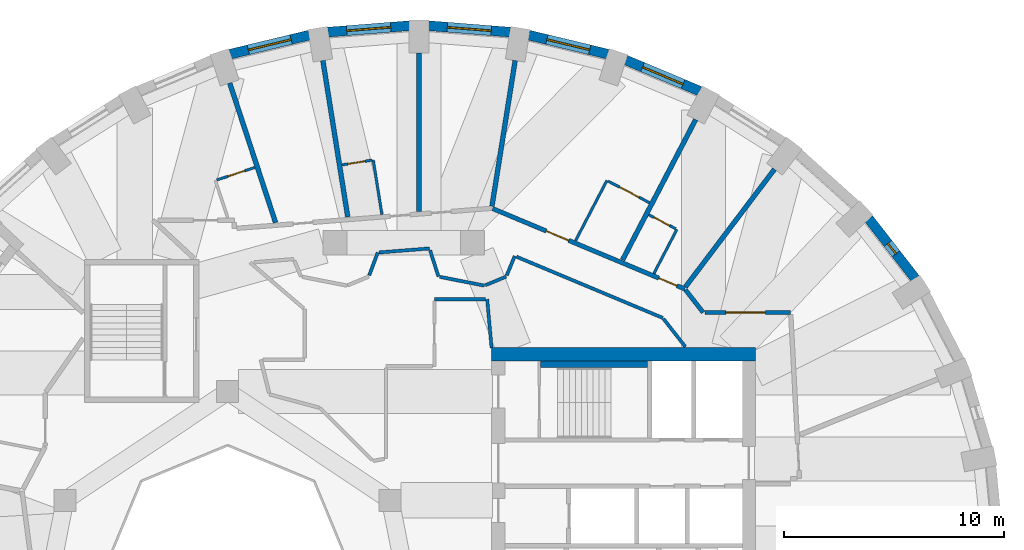
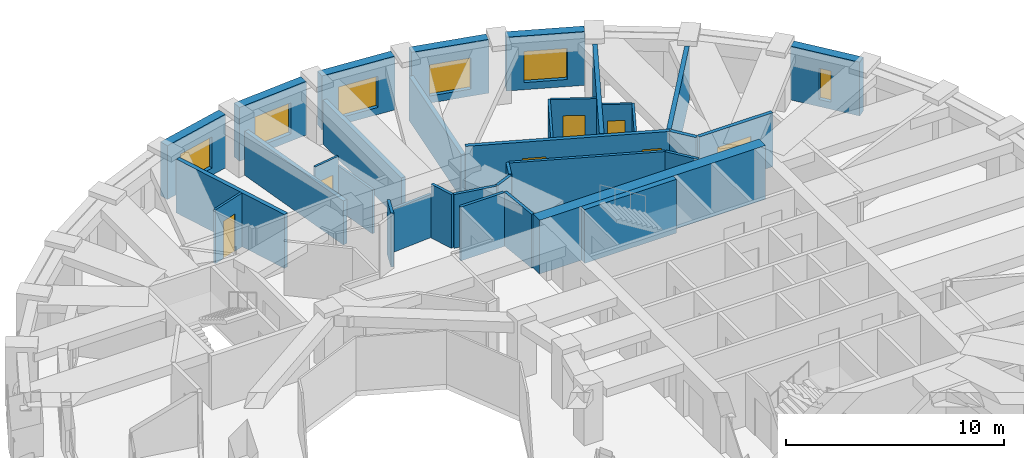
# One storey, part 8 of 12: 34 walls, 7 doors, 6 windows, 13 openings.
"""IFC4 building model written with IfcOpenShell, lengths in metres."""

from ifc_helpers import new_model, si_unit, direction, frame, frame_2d, origin, place, context, subcontext, project, spatial, rectangle, extrude, material, layer, layer_set, type_object, element, fill, save


model = new_model("IFC4")

# Units and contexts
model_context = context("Model", 3, precision=1e-05, world=origin(), true_north=direction((0.0, 1.0)))
body_context = subcontext(model_context, "Body", "Model", "MODEL_VIEW")
ifc_project = project(units=[si_unit("LENGTHUNIT", "METRE"), si_unit("AREAUNIT", "SQUARE_METRE"), si_unit("VOLUMEUNIT", "CUBIC_METRE"), si_unit("PLANEANGLEUNIT", "RADIAN"), si_unit("MASSUNIT", "GRAM", prefix="KILO")], contexts=[model_context])

# Site, building, storey
site_placement = place(None, origin())
site = spatial("IfcSite", under=ifc_project, at=site_placement, CompositionType="ELEMENT")
building_placement = place(site_placement, origin())
building = spatial("IfcBuilding", under=site, at=building_placement, Name="Taillehof Tower", CompositionType="ELEMENT")
storey_placement = place(building_placement, frame((0.0, 0.0, 202.39990234375)))
storey = spatial("IfcBuildingStorey", under=building, at=storey_placement, Name="L57", CompositionType="ELEMENT", Elevation=202.39990234375)

# Wall, opening, window
ifc_material_1 = material(Name="Brick masonry", Category="masonry")
ifc_layer_1 = layer(ifc_material_1, 0.449951171875)
ifc_layer_set_1 = layer_set([ifc_layer_1], Name="Brick infill wall 450")
wall_type_1 = type_object("IfcWallType", Name="Brick infill wall 450", PredefinedType="SOLIDWALL", material=ifc_layer_set_1)
wall_1_placement = place(storey_placement, frame((23.262939453125, 13.148193359375, 0.0), z_axis=(0.0, 0.0, 1.0), x_axis=(-0.614220816451, 0.789134201919, 0.0)))
wall_1 = element("IfcWall", 1, at=wall_1_placement, inside=storey, type_object=wall_type_1, Name="Brick wall L57 bay 4", PredefinedType="SOLIDWALL", context=body_context, shape_type="SweptSolid", body=[
    extrude(rectangle(XDim=3.437744140625, YDim=0.449951171875, at=frame_2d((1.71875, 0.0))), origin(), (0.0, 0.0, 1.0), 3.02001953125),
])
opening_1_placement = place(wall_1_placement, frame((1.4189453125, 0.0, 0.39990234375)))
opening_1 = element("IfcOpeningElement", 2, at=opening_1_placement, cuts=wall_1, Name="Opening W6", PredefinedType="OPENING", context=body_context, shape_type="SweptSolid", body=[
    extrude(rectangle(XDim=0.60009765625, YDim=1.75, at=frame_2d((0.300048828125, 0.875))), frame((0.0, 0.23486328125, 0.0), z_axis=(0.0, -1.0, 0.0), x_axis=(1.0, 0.0, 0.0)), (0.0, 0.0, 1.0), 0.469970703125),
])
ifc_material_2 = material(Name="Aluminium window frame with clear double glazing", Category="aluminium")
window_type_1 = type_object("IfcWindowType", Name="Slot window 600x1750", PartitioningType="SINGLE_PANEL", PredefinedType="WINDOW", material=ifc_material_2)
window_1_placement = place(opening_1_placement, origin())
window_1 = element("IfcWindow", 3, at=window_1_placement, inside=storey, type_object=window_type_1, Name="W6", OverallHeight=1.75, OverallWidth=0.60009765625, PartitioningType="SINGLE_PANEL", PredefinedType="WINDOW", context=body_context, shape_type="SweptSolid", body=[
    extrude(rectangle(XDim=0.60009765625, YDim=1.75, at=frame_2d((0.300048828125, 0.875))), frame((0.0, 0.034912109375, 0.0), z_axis=(0.0, -1.0, 0.0), x_axis=(1.0, 0.0, 0.0)), (0.0, 0.0, 1.0), 0.06005859375),
])
fill(opening_1, window_1)

wall_2_placement = place(storey_placement, frame((13.46923828125, 21.6669921875, 0.0), z_axis=(0.0, 0.0, 1.0), x_axis=(-0.922168222612, 0.386789050006, 0.0)))
wall_2 = element("IfcWall", 4, at=wall_2_placement, inside=storey, type_object=wall_type_1, Name="Brick wall L57 bay 7", PredefinedType="SOLIDWALL", context=body_context, shape_type="SweptSolid", body=[
    extrude(rectangle(XDim=3.65087890625, YDim=0.449951171875, at=frame_2d((1.825439453125, 0.0))), origin(), (0.0, 0.0, 1.0), 3.02001953125),
])
opening_2_placement = place(wall_2_placement, frame((0.825439453125, 0.0, 0.39990234375)))
opening_2 = element("IfcOpeningElement", 5, at=opening_2_placement, cuts=wall_2, Name="Opening W2", PredefinedType="OPENING", context=body_context, shape_type="SweptSolid", body=[
    extrude(rectangle(XDim=2.0, YDim=1.75, at=frame_2d((1.0, 0.875))), frame((0.0, 0.23486328125, 0.0), z_axis=(0.0, -1.0, 0.0), x_axis=(1.0, 0.0, 0.0)), (0.0, 0.0, 1.0), 0.469970703125),
])
ifc_material_3 = material(Name="Aluminium window frame with clear double glazing", Category="aluminium")
window_type_2 = type_object("IfcWindowType", Name="Deep-set window 2000x1750", PartitioningType="SINGLE_PANEL", PredefinedType="WINDOW", material=ifc_material_3)
window_2_placement = place(opening_2_placement, origin())
window_2 = element("IfcWindow", 6, at=window_2_placement, inside=storey, type_object=window_type_2, Name="W2", OverallHeight=1.75, OverallWidth=2.0, PartitioningType="SINGLE_PANEL", PredefinedType="WINDOW", context=body_context, shape_type="SweptSolid", body=[
    extrude(rectangle(XDim=2.0, YDim=1.75, at=frame_2d((1.0, 0.875))), frame((0.0, 0.034912109375, 0.0), z_axis=(0.0, -1.0, 0.0), x_axis=(1.0, 0.0, 0.0)), (0.0, 0.0, 1.0), 0.06005859375),
])
fill(opening_2, window_2)

wall_3_placement = place(storey_placement, frame((9.285400390625, 23.34716796875, 0.0), z_axis=(0.0, 0.0, 1.0), x_axis=(-0.972173533246, 0.234261864708, 0.0)))
wall_3 = element("IfcWall", 7, at=wall_3_placement, inside=storey, type_object=wall_type_1, Name="Brick wall L57 bay 8", PredefinedType="SOLIDWALL", context=body_context, shape_type="SweptSolid", body=[
    extrude(rectangle(XDim=3.697509765625, YDim=0.449951171875, at=frame_2d((1.8486328125, 0.0))), origin(), (0.0, 0.0, 1.0), 3.02001953125),
])
opening_3_placement = place(wall_3_placement, frame((0.848876953125, 0.0, 0.39990234375)))
opening_3 = element("IfcOpeningElement", 8, at=opening_3_placement, cuts=wall_3, Name="Opening W2", PredefinedType="OPENING", context=body_context, shape_type="SweptSolid", body=[
    extrude(rectangle(XDim=2.0, YDim=1.75, at=frame_2d((1.0, 0.875))), frame((0.0, 0.23486328125, 0.0), z_axis=(0.0, -1.0, 0.0), x_axis=(1.0, 0.0, 0.0)), (0.0, 0.0, 1.0), 0.469970703125),
])
window_3_placement = place(opening_3_placement, origin())
window_3 = element("IfcWindow", 9, at=window_3_placement, inside=storey, type_object=window_type_2, Name="W2", OverallHeight=1.75, OverallWidth=2.0, PartitioningType="SINGLE_PANEL", PredefinedType="WINDOW", context=body_context, shape_type="SweptSolid", body=[
    extrude(rectangle(XDim=2.0, YDim=1.75, at=frame_2d((1.0, 0.875))), frame((0.0, 0.034912109375, 0.0), z_axis=(0.0, -1.0, 0.0), x_axis=(1.0, 0.0, 0.0)), (0.0, 0.0, 1.0), 0.06005859375),
])
fill(opening_3, window_3)

wall_4_placement = place(storey_placement, frame((4.841064453125, 24.348388671875, 0.0), z_axis=(0.0, 0.0, 1.0), x_axis=(-0.996918697878, 0.078441760701, 0.0)))
wall_4 = element("IfcWall", 10, at=wall_4_placement, inside=storey, type_object=wall_type_1, Name="Brick wall L57 bay 9", PredefinedType="SOLIDWALL", context=body_context, shape_type="SweptSolid", body=[
    extrude(rectangle(XDim=3.722412109375, YDim=0.449951171875, at=frame_2d((1.861328125, 0.0))), origin(), (0.0, 0.0, 1.0), 3.02001953125),
])
opening_4_placement = place(wall_4_placement, frame((0.861328125, 0.0, 0.39990234375)))
opening_4 = element("IfcOpeningElement", 11, at=opening_4_placement, cuts=wall_4, Name="Opening W2", PredefinedType="OPENING", context=body_context, shape_type="SweptSolid", body=[
    extrude(rectangle(XDim=2.0, YDim=1.75, at=frame_2d((1.0, 0.875))), frame((0.0, 0.23486328125, 0.0), z_axis=(0.0, -1.0, 0.0), x_axis=(1.0, 0.0, 0.0)), (0.0, 0.0, 1.0), 0.469970703125),
])
window_4_placement = place(opening_4_placement, origin())
window_4 = element("IfcWindow", 12, at=window_4_placement, inside=storey, type_object=window_type_2, Name="W2", OverallHeight=1.75, OverallWidth=2.0, PartitioningType="SINGLE_PANEL", PredefinedType="WINDOW", context=body_context, shape_type="SweptSolid", body=[
    extrude(rectangle(XDim=2.0, YDim=1.75, at=frame_2d((1.0, 0.875))), frame((0.0, 0.034912109375, 0.0), z_axis=(0.0, -1.0, 0.0), x_axis=(1.0, 0.0, 0.0)), (0.0, 0.0, 1.0), 0.06005859375),
])
fill(opening_4, window_4)

wall_5_placement = place(storey_placement, frame((0.27001953125, 24.640380859375, 0.0), z_axis=(0.0, 0.0, 1.0), x_axis=(-0.996919101401, -0.078436632148, 0.0)))
wall_5 = element("IfcWall", 13, at=wall_5_placement, inside=storey, type_object=wall_type_1, Name="Brick wall L57 bay 10", PredefinedType="SOLIDWALL", context=body_context, shape_type="SweptSolid", body=[
    extrude(rectangle(XDim=3.72265625, YDim=0.449951171875, at=frame_2d((1.861328125, 0.0))), origin(), (0.0, 0.0, 1.0), 3.02001953125),
])
opening_5_placement = place(wall_5_placement, frame((0.861328125, 0.0, 0.39990234375)))
opening_5 = element("IfcOpeningElement", 14, at=opening_5_placement, cuts=wall_5, Name="Opening W2", PredefinedType="OPENING", context=body_context, shape_type="SweptSolid", body=[
    extrude(rectangle(XDim=2.0, YDim=1.75, at=frame_2d((1.0, 0.875))), frame((0.0, 0.23486328125, 0.0), z_axis=(0.0, -1.0, 0.0), x_axis=(1.0, 0.0, 0.0)), (0.0, 0.0, 1.0), 0.469970703125),
])
window_5_placement = place(opening_5_placement, origin())
window_5 = element("IfcWindow", 15, at=window_5_placement, inside=storey, type_object=window_type_2, Name="W2", OverallHeight=1.75, OverallWidth=2.0, PartitioningType="SINGLE_PANEL", PredefinedType="WINDOW", context=body_context, shape_type="SweptSolid", body=[
    extrude(rectangle(XDim=2.0, YDim=1.75, at=frame_2d((1.0, 0.875))), frame((0.0, 0.034912109375, 0.0), z_axis=(0.0, -1.0, 0.0), x_axis=(1.0, 0.0, 0.0)), (0.0, 0.0, 1.0), 0.06005859375),
])
fill(opening_5, window_5)

wall_6_placement = place(storey_placement, frame((-4.29052734375, 24.21337890625, 0.0), z_axis=(0.0, 0.0, 1.0), x_axis=(-0.972173533246, -0.234261864708, 0.0)))
wall_6 = element("IfcWall", 16, at=wall_6_placement, inside=storey, type_object=wall_type_1, Name="Brick wall L57 bay 11", PredefinedType="SOLIDWALL", context=body_context, shape_type="SweptSolid", body=[
    extrude(rectangle(XDim=3.697509765625, YDim=0.449951171875, at=frame_2d((1.8486328125, 0.0))), origin(), (0.0, 0.0, 1.0), 3.02001953125),
])
opening_6_placement = place(wall_6_placement, frame((0.848876953125, 0.0, 0.39990234375)))
opening_6 = element("IfcOpeningElement", 17, at=opening_6_placement, cuts=wall_6, Name="Opening W2", PredefinedType="OPENING", context=body_context, shape_type="SweptSolid", body=[
    extrude(rectangle(XDim=2.0, YDim=1.75, at=frame_2d((1.0, 0.875))), frame((0.0, 0.23486328125, 0.0), z_axis=(0.0, -1.0, 0.0), x_axis=(1.0, 0.0, 0.0)), (0.0, 0.0, 1.0), 0.469970703125),
])
window_6_placement = place(opening_6_placement, origin())
window_6 = element("IfcWindow", 18, at=window_6_placement, inside=storey, type_object=window_type_2, Name="W2", OverallHeight=1.75, OverallWidth=2.0, PartitioningType="SINGLE_PANEL", PredefinedType="WINDOW", context=body_context, shape_type="SweptSolid", body=[
    extrude(rectangle(XDim=2.0, YDim=1.75, at=frame_2d((1.0, 0.875))), frame((0.0, 0.034912109375, 0.0), z_axis=(0.0, -1.0, 0.0), x_axis=(1.0, 0.0, 0.0)), (0.0, 0.0, 1.0), 0.06005859375),
])
fill(opening_6, window_6)

# Wall, openings, doors
ifc_material_4 = material(Name="Gypsum board on steel studs, two layers each side", Category="steel")
ifc_layer_2 = layer(ifc_material_4, 0.199951171875)
ifc_layer_set_2 = layer_set([ifc_layer_2], Name="Compartment wall corridor 200")
wall_type_2 = type_object("IfcWallType", Name="Compartment wall corridor 200", PredefinedType="PARTITIONING", material=ifc_layer_set_2)
wall_7_placement = place(storey_placement, frame((4.052001953125, 16.32275390625, 0.0), z_axis=(0.0, 0.0, 1.0), x_axis=(0.922513794011, -0.385964117322, 0.0)))
wall_7 = element("IfcWall", 19, at=wall_7_placement, inside=storey, type_object=wall_type_2, Name="Compartment wall", PredefinedType="PARTITIONING", context=body_context, shape_type="SweptSolid", body=[
    extrude(rectangle(XDim=9.469970703125, YDim=0.199951171875, at=frame_2d((4.73486328125, 0.0))), origin(), (0.0, 0.0, 1.0), 3.02001953125),
])
opening_7_placement = place(wall_7_placement, frame((8.186279296875, 0.0, 0.0)))
opening_7 = element("IfcOpeningElement", 20, at=opening_7_placement, cuts=wall_7, Name="Opening D5740", PredefinedType="OPENING", context=body_context, shape_type="SweptSolid", body=[
    extrude(rectangle(XDim=0.89990234375, YDim=2.10009765625, at=frame_2d((0.449951171875, 1.050048828125))), frame((0.0, 0.10986328125, 0.0), z_axis=(0.0, -1.0, 0.0), x_axis=(1.0, 0.0, 0.0)), (0.0, 0.0, 1.0), 0.219970703125),
])
opening_8_placement = place(wall_7_placement, frame((2.63916015625, 0.0, 0.0)))
opening_8 = element("IfcOpeningElement", 21, at=opening_8_placement, cuts=wall_7, Name="Opening D5742", PredefinedType="OPENING", context=body_context, shape_type="SweptSolid", body=[
    extrude(rectangle(XDim=1.10009765625, YDim=2.10009765625, at=frame_2d((0.550048828125, 1.050048828125))), frame((0.0, 0.10986328125, 0.0), z_axis=(0.0, -1.0, 0.0), x_axis=(1.0, 0.0, 0.0)), (0.0, 0.0, 1.0), 0.219970703125),
])
ifc_material_5 = material(Name="Timber door leaf in steel frame", Category="steel")
door_type_1 = type_object("IfcDoorType", Name="Accessible guest room door EI 30 1100 x 2100", OperationType="SINGLE_SWING_LEFT", PredefinedType="DOOR", material=ifc_material_5)
door_1_placement = place(opening_8_placement, origin())
door_1 = element("IfcDoor", 22, at=door_1_placement, inside=storey, type_object=door_type_1, Name="D5742", OperationType="SINGLE_SWING_RIGHT", OverallHeight=2.10009765625, OverallWidth=1.10009765625, PredefinedType="DOOR", context=body_context, shape_type="SweptSolid", body=[
    extrude(rectangle(XDim=1.10009765625, YDim=2.10009765625, at=frame_2d((0.550048828125, 1.050048828125))), frame((0.0, 0.02490234375, 0.0), z_axis=(0.0, -1.0, 0.0), x_axis=(1.0, 0.0, 0.0)), (0.0, 0.0, 1.0), 0.050048828125),
])
fill(opening_8, door_1)
ifc_material_6 = material(Name="Timber door leaf in steel frame", Category="steel")
door_type_2 = type_object("IfcDoorType", Name="Guest room door EI 30 900 x 2100", OperationType="SINGLE_SWING_LEFT", PredefinedType="DOOR", material=ifc_material_6)
door_2_placement = place(opening_7_placement, origin())
door_2 = element("IfcDoor", 23, at=door_2_placement, inside=storey, type_object=door_type_2, Name="D5740", OperationType="SINGLE_SWING_LEFT", OverallHeight=2.10009765625, OverallWidth=0.89990234375, PredefinedType="DOOR", context=body_context, shape_type="SweptSolid", body=[
    extrude(rectangle(XDim=0.89990234375, YDim=2.10009765625, at=frame_2d((0.449951171875, 1.050048828125))), frame((0.0, 0.02490234375, 0.0), z_axis=(0.0, -1.0, 0.0), x_axis=(1.0, 0.0, 0.0)), (0.0, 0.0, 1.0), 0.050048828125),
])
fill(opening_7, door_2)

# Wall
wall_8_placement = place(storey_placement, frame((12.8125, 12.635986328125, 0.0), z_axis=(0.0, 0.0, 1.0), x_axis=(0.616123044723, -0.787649918277, 0.0)))
element("IfcWall", 24, at=wall_8_placement, inside=storey, type_object=wall_type_2, Name="Compartment wall", PredefinedType="PARTITIONING", context=body_context, shape_type="SweptSolid", body=[
    extrude(rectangle(XDim=1.315185546875, YDim=0.199951171875, at=frame_2d((0.65771484375, 0.0))), origin(), (0.0, 0.0, 1.0), 3.02001953125),
])

# Wall, opening, door
wall_9_placement = place(storey_placement, frame((13.702880859375, 11.60009765625, 0.0), z_axis=(0.0, 0.0, 1.0), x_axis=(1.0, 0.0, 0.0)))
wall_9 = element("IfcWall", 25, at=wall_9_placement, inside=storey, type_object=wall_type_2, Name="Compartment wall", PredefinedType="PARTITIONING", context=body_context, shape_type="SweptSolid", body=[
    extrude(rectangle(XDim=3.897216796875, YDim=0.199951171875, at=frame_2d((1.94873046875, 0.0))), origin(), (0.0, 0.0, 1.0), 3.02001953125),
])
opening_9_placement = place(wall_9_placement, frame((0.94775390625, 0.0, 0.0)))
opening_9 = element("IfcOpeningElement", 26, at=opening_9_placement, cuts=wall_9, Name="Opening D5765", PredefinedType="OPENING", context=body_context, shape_type="SweptSolid", body=[
    extrude(rectangle(XDim=1.800048828125, YDim=2.10009765625, at=frame_2d((0.89990234375, 1.050048828125))), frame((0.0, 0.10986328125, 0.0), z_axis=(0.0, -1.0, 0.0), x_axis=(1.0, 0.0, 0.0)), (0.0, 0.0, 1.0), 0.219970703125),
])
ifc_material_7 = material(Name="Timber door leaf in steel frame", Category="steel")
door_type_3 = type_object("IfcDoorType", Name="Lounge and meeting room double door EI 30 1800 x 2100", OperationType="SINGLE_SWING_LEFT", PredefinedType="DOOR", material=ifc_material_7)
door_3_placement = place(opening_9_placement, origin())
door_3 = element("IfcDoor", 27, at=door_3_placement, inside=storey, type_object=door_type_3, Name="D5765", OperationType="DOUBLE_DOOR_SINGLE_SWING", OverallHeight=2.10009765625, OverallWidth=1.800048828125, PredefinedType="DOOR", context=body_context, shape_type="SweptSolid", body=[
    extrude(rectangle(XDim=1.800048828125, YDim=2.10009765625, at=frame_2d((0.89990234375, 1.050048828125))), frame((0.0, 0.02490234375, 0.0), z_axis=(0.0, -1.0, 0.0), x_axis=(1.0, 0.0, 0.0)), (0.0, 0.0, 1.0), 0.050048828125),
])
fill(opening_9, door_3)

# Walls
ifc_material_8 = material(Name="Gypsum board on double steel studs with mineral wool", Category="steel")
ifc_layer_3 = layer(ifc_material_8, 0.219970703125)
ifc_layer_set_3 = layer_set([ifc_layer_3], Name="Compartment wall guest room 220")
wall_type_3 = type_object("IfcWallType", Name="Compartment wall guest room 220", PredefinedType="PARTITIONING", material=ifc_layer_set_3)
wall_10_placement = place(storey_placement, frame((16.86328125, 18.112548828125, 0.0), z_axis=(0.0, 0.0, 1.0), x_axis=(-0.603604669643, -0.797283765535, 0.0)))
element("IfcWall", 28, at=wall_10_placement, inside=storey, type_object=wall_type_3, Name="Compartment wall", PredefinedType="PARTITIONING", context=body_context, shape_type="SweptSolid", body=[
    extrude(rectangle(XDim=6.707275390625, YDim=0.219970703125, at=frame_2d((3.353515625, 0.0))), origin(), (0.0, 0.0, 1.0), 3.02001953125),
])
wall_11_placement = place(storey_placement, frame((13.278564453125, 20.369873046875, 0.0), z_axis=(0.0, 0.0, 1.0), x_axis=(-0.462003878414, -0.886877903846, 0.0)))
element("IfcWall", 29, at=wall_11_placement, inside=storey, type_object=wall_type_3, Name="Compartment wall", PredefinedType="PARTITIONING", context=body_context, shape_type="SweptSolid", body=[
    extrude(rectangle(XDim=7.199951171875, YDim=0.219970703125, at=frame_2d((3.60009765625, 0.0))), origin(), (0.0, 0.0, 1.0), 3.02001953125),
])
wall_12_placement = place(storey_placement, frame((5.071044921875, 23.05615234375, 0.0), z_axis=(0.0, 0.0, 1.0), x_axis=(-0.15710052893, -0.987582616195, 0.0)))
element("IfcWall", 30, at=wall_12_placement, inside=storey, type_object=wall_type_3, Name="Compartment wall", PredefinedType="PARTITIONING", context=body_context, shape_type="SweptSolid", body=[
    extrude(rectangle(XDim=6.708740234375, YDim=0.219970703125, at=frame_2d((3.3544921875, 0.0))), origin(), (0.0, 0.0, 1.0), 2.47021484375),
])
for number, where, z_axis, x_axis, name in (
    (31, (0.699951171875, 23.39990234375, 0.0), (0.0, 0.0, 1.0), (0.0, -1.0, 0.0), "Compartment wall"),
    (32, (-3.6708984375, 23.05615234375, 0.0), (0.0, 0.0, 1.0), (0.157099267894, -0.987582816794, 0.0), "Compartment wall"),
):
    element("IfcWall", number, at=place(storey_placement, frame(where, z_axis=z_axis, x_axis=x_axis)), inside=storey, type_object=wall_type_3, Name=name, PredefinedType="PARTITIONING", context=body_context, shape_type="SweptSolid", body=[
        extrude(rectangle(XDim=7.201416015625, YDim=0.219970703125, at=frame_2d((3.6005859375, 0.0))), origin(), (0.0, 0.0, 1.0), 2.47021484375),
    ])
wall_13_placement = place(storey_placement, frame((-7.9072265625, 22.035400390625, 0.0), z_axis=(0.0, 0.0, 1.0), x_axis=(0.311972412811, -0.950091160702, 0.0)))
element("IfcWall", 33, at=wall_13_placement, inside=storey, type_object=wall_type_3, Name="Compartment wall", PredefinedType="PARTITIONING", context=body_context, shape_type="SweptSolid", body=[
    extrude(rectangle(XDim=6.68310546875, YDim=0.219970703125, at=frame_2d((3.341552734375, 0.0))), origin(), (0.0, 0.0, 1.0), 3.02001953125),
])
ifc_material_9 = material(Name="Calcium silicate masonry", Category="masonry")
ifc_layer_4 = layer(ifc_material_9, 0.300048828125)
ifc_layer_set_4 = layer_set([ifc_layer_4], Name="Compartment wall lining calcium silicate 300")
wall_type_4 = type_object("IfcWallType", Name="Compartment wall lining calcium silicate 300", PredefinedType="PARTITIONING", material=ifc_layer_set_4)
wall_14_placement = place(storey_placement, frame((6.219970703125, 9.25, 0.0), z_axis=(0.0, 0.0, 1.0), x_axis=(1.0, 0.0, 0.0)))
element("IfcWall", 34, at=wall_14_placement, inside=storey, type_object=wall_type_4, Name="Compartment wall FW", PredefinedType="PARTITIONING", context=body_context, shape_type="SweptSolid", body=[
    extrude(rectangle(XDim=4.880126953125, YDim=0.300048828125, at=frame_2d((2.43994140625, 0.0))), origin(), (0.0, 0.0, 1.0), 3.02001953125),
])
ifc_material_10 = material(Name="Gypsum board on steel studs, two layers each side", Category="steel")
ifc_layer_5 = layer(ifc_material_10, 0.14990234375)
ifc_layer_set_5 = layer_set([ifc_layer_5], Name="Compartment wall service room 150")
wall_type_5 = type_object("IfcWallType", Name="Compartment wall service room 150", PredefinedType="PARTITIONING", material=ifc_layer_set_5)
wall_15_placement = place(storey_placement, frame((4.0, 9.9990234375, 0.0), z_axis=(0.0, 0.0, 1.0), x_axis=(-0.090475982725, 0.995898637689, 0.0)))
element("IfcWall", 35, at=wall_15_placement, inside=storey, type_object=wall_type_5, Name="Compartment wall", PredefinedType="PARTITIONING", context=body_context, shape_type="SweptSolid", body=[
    extrude(rectangle(XDim=2.2099609375, YDim=0.14990234375, at=frame_2d((1.10498046875, 0.0))), origin(), (0.0, 0.0, 1.0), 3.02001953125),
])
wall_16_placement = place(storey_placement, frame((3.719970703125, 12.199951171875, 0.0), z_axis=(0.0, 0.0, 1.0), x_axis=(-1.0, 0.0, 0.0)))
element("IfcWall", 36, at=wall_16_placement, inside=storey, type_object=wall_type_5, Name="Compartment wall", PredefinedType="PARTITIONING", context=body_context, shape_type="SweptSolid", body=[
    extrude(rectangle(XDim=2.320068359375, YDim=0.14990234375, at=frame_2d((1.16015625, 0.0))), origin(), (0.0, 0.0, 1.0), 3.02001953125),
])
wall_17_placement = place(storey_placement, frame((-1.564453125, 13.28857421875, 0.0), z_axis=(0.0, 0.0, 1.0), x_axis=(0.350857754205, 0.936428767347, 0.0)))
element("IfcWall", 37, at=wall_17_placement, inside=storey, type_object=wall_type_5, Name="Compartment wall", PredefinedType="PARTITIONING", context=body_context, shape_type="SweptSolid", body=[
    extrude(rectangle(XDim=1.107666015625, YDim=0.14990234375, at=frame_2d((0.5537109375, 0.0))), origin(), (0.0, 0.0, 1.0), 3.02001953125),
])
wall_18_placement = place(storey_placement, frame((-1.11572265625, 14.330322265625, 0.0), z_axis=(0.0, 0.0, 1.0), x_axis=(0.99692309845, 0.078385813622, 0.0)))
element("IfcWall", 38, at=wall_18_placement, inside=storey, type_object=wall_type_5, Name="Compartment wall", PredefinedType="PARTITIONING", context=body_context, shape_type="SweptSolid", body=[
    extrude(rectangle(XDim=2.298583984375, YDim=0.14990234375, at=frame_2d((1.1494140625, 0.0))), origin(), (0.0, 0.0, 1.0), 2.420166015625),
])
wall_19_placement = place(storey_placement, frame((1.2001953125, 14.434326171875, 0.0), z_axis=(0.0, 0.0, 1.0), x_axis=(0.30535807655, -0.952237599072, 0.0)))
element("IfcWall", 39, at=wall_19_placement, inside=storey, type_object=wall_type_5, Name="Compartment wall", PredefinedType="PARTITIONING", context=body_context, shape_type="SweptSolid", body=[
    extrude(rectangle(XDim=1.262451171875, YDim=0.14990234375, at=frame_2d((0.63134765625, 0.0))), origin(), (0.0, 0.0, 1.0), 3.02001953125),
])
wall_20_placement = place(storey_placement, frame((1.644287109375, 13.220458984375, 0.0), z_axis=(0.0, 0.0, 1.0), x_axis=(0.981304142817, -0.192463449234, 0.0)))
element("IfcWall", 40, at=wall_20_placement, inside=storey, type_object=wall_type_5, Name="Compartment wall", PredefinedType="PARTITIONING", context=body_context, shape_type="SweptSolid", body=[
    extrude(rectangle(XDim=2.0703125, YDim=0.14990234375, at=frame_2d((1.03515625, 0.0))), origin(), (0.0, 0.0, 1.0), 3.02001953125),
])
wall_21_placement = place(storey_placement, frame((3.712890625, 12.837158203125, 0.0), z_axis=(0.0, 0.0, 1.0), x_axis=(0.923768662954, 0.382950985565, 0.0)))
element("IfcWall", 41, at=wall_21_placement, inside=storey, type_object=wall_type_5, Name="Compartment wall", PredefinedType="PARTITIONING", context=body_context, shape_type="SweptSolid", body=[
    extrude(rectangle(XDim=1.031494140625, YDim=0.14990234375, at=frame_2d((0.515625, 0.0))), origin(), (0.0, 0.0, 1.0), 3.02001953125),
])
wall_22_placement = place(storey_placement, frame((4.6884765625, 13.287841796875, 0.0), z_axis=(0.0, 0.0, 1.0), x_axis=(0.382961780444, 0.923764187831, 0.0)))
element("IfcWall", 42, at=wall_22_placement, inside=storey, type_object=wall_type_5, Name="Compartment wall", PredefinedType="PARTITIONING", context=body_context, shape_type="SweptSolid", body=[
    extrude(rectangle(XDim=0.954345703125, YDim=0.14990234375, at=frame_2d((0.47705078125, 0.0))), origin(), (0.0, 0.0, 1.0), 3.02001953125),
])
wall_23_placement = place(storey_placement, frame((5.128173828125, 14.13818359375, 0.0), z_axis=(0.0, 0.0, 1.0), x_axis=(0.922514397623, -0.385962674591, 0.0)))
element("IfcWall", 43, at=wall_23_placement, inside=storey, type_object=wall_type_5, Name="Compartment wall", PredefinedType="PARTITIONING", context=body_context, shape_type="SweptSolid", body=[
    extrude(rectangle(XDim=7.216064453125, YDim=0.14990234375, at=frame_2d((3.60791015625, 0.0))), origin(), (0.0, 0.0, 1.0), 3.02001953125),
])
wall_24_placement = place(storey_placement, frame((11.8095703125, 11.3212890625, 0.0), z_axis=(0.0, 0.0, 1.0), x_axis=(0.615964296608, -0.787774069962, 0.0)))
element("IfcWall", 44, at=wall_24_placement, inside=storey, type_object=wall_type_5, Name="Compartment wall", PredefinedType="PARTITIONING", context=body_context, shape_type="SweptSolid", body=[
    extrude(rectangle(XDim=1.626953125, YDim=0.14990234375, at=frame_2d((0.8134765625, 0.0))), origin(), (0.0, 0.0, 1.0), 3.02001953125),
])
ifc_material_11 = material(Name="Concrete C80/95", Category="concrete")
ifc_layer_6 = layer(ifc_material_11, 0.60009765625)
ifc_layer_set_6 = layer_set([ifc_layer_6], Name="Core wall C80/95 600")
wall_type_6 = type_object("IfcWallType", Name="Core wall C80/95 600", PredefinedType="SHEAR", material=ifc_layer_set_6)
wall_25_placement = place(storey_placement, frame((4.0, 9.699951171875, 0.0), z_axis=(0.0, 0.0, 1.0), x_axis=(1.0, 0.0, 0.0)))
element("IfcWall", 45, at=wall_25_placement, inside=storey, type_object=wall_type_6, Name="Core wall CW06", PredefinedType="SHEAR", context=body_context, shape_type="SweptSolid", body=[
    extrude(rectangle(XDim=12.0, YDim=0.60009765625, at=frame_2d((6.0, 0.0))), origin(), (0.0, 0.0, 1.0), 3.02001953125),
])
ifc_material_12 = material(Name="Gypsum board on steel studs, moisture resistant", Category="steel")
ifc_layer_7 = layer(ifc_material_12, 0.1201171875)
ifc_layer_set_7 = layer_set([ifc_layer_7], Name="En-suite wall 120")
wall_type_7 = type_object("IfcWallType", Name="En-suite wall 120", PredefinedType="PARTITIONING", material=ifc_layer_set_7)
wall_26_placement = place(storey_placement, frame((11.3779296875, 13.3662109375, 0.0), z_axis=(0.0, 0.0, 1.0), x_axis=(0.461999655972, 0.886880103442, 0.0)))
element("IfcWall", 46, at=wall_26_placement, inside=storey, type_object=wall_type_7, Name="En-suite wall", PredefinedType="PARTITIONING", context=body_context, shape_type="SweptSolid", body=[
    extrude(rectangle(XDim=2.26904296875, YDim=0.1201171875, at=frame_2d((1.134521484375, 0.0))), origin(), (0.0, 0.0, 1.0), 3.02001953125),
])
wall_27_placement = place(storey_placement, frame((7.813720703125, 14.857421875, 0.0), z_axis=(0.0, 0.0, 1.0), x_axis=(0.461958994047, 0.886901284146, 0.0)))
element("IfcWall", 47, at=wall_27_placement, inside=storey, type_object=wall_type_7, Name="En-suite wall", PredefinedType="PARTITIONING", context=body_context, shape_type="SweptSolid", body=[
    extrude(rectangle(XDim=3.09326171875, YDim=0.1201171875, at=frame_2d((1.546630859375, 0.0))), origin(), (0.0, 0.0, 1.0), 3.02001953125),
])
wall_28_placement = place(storey_placement, frame((-0.986083984375, 16.0458984375, 0.0), z_axis=(0.0, 0.0, 1.0), x_axis=(-0.157145077254, 0.987575528603, 0.0)))
element("IfcWall", 48, at=wall_28_placement, inside=storey, type_object=wall_type_7, Name="En-suite wall", PredefinedType="PARTITIONING", context=body_context, shape_type="SweptSolid", body=[
    extrude(rectangle(XDim=2.52294921875, YDim=0.1201171875, at=frame_2d((1.261474609375, 0.0))), origin(), (0.0, 0.0, 1.0), 2.47021484375),
])

# Wall, opening, door
wall_29_placement = place(storey_placement, frame((12.373046875, 15.406494140625, 0.0), z_axis=(0.0, 0.0, 1.0), x_axis=(-0.88690955386, 0.461943116922, 0.0)))
wall_29 = element("IfcWall", 49, at=wall_29_placement, inside=storey, type_object=wall_type_7, Name="En-suite wall", PredefinedType="PARTITIONING", context=body_context, shape_type="SweptSolid", body=[
    extrude(rectangle(XDim=1.3798828125, YDim=0.1201171875, at=frame_2d((0.68994140625, 0.0))), origin(), (0.0, 0.0, 1.0), 3.02001953125),
])
opening_10_placement = place(wall_29_placement, frame((0.31494140625, 0.0, 0.0)))
opening_10 = element("IfcOpeningElement", 50, at=opening_10_placement, cuts=wall_29, Name="Opening D5741", PredefinedType="OPENING", context=body_context, shape_type="SweptSolid", body=[
    extrude(rectangle(XDim=0.800048828125, YDim=2.10009765625, at=frame_2d((0.39990234375, 1.050048828125))), frame((0.0, 0.070068359375, 0.0), z_axis=(0.0, -1.0, 0.0), x_axis=(1.0, 0.0, 0.0)), (0.0, 0.0, 1.0), 0.14013671875),
])
ifc_material_13 = material(Name="Timber door leaf in steel frame", Category="steel")
door_type_4 = type_object("IfcDoorType", Name="En-suite door 800 x 2100", OperationType="SINGLE_SWING_LEFT", PredefinedType="DOOR", material=ifc_material_13)
door_4_placement = place(opening_10_placement, origin())
door_4 = element("IfcDoor", 51, at=door_4_placement, inside=storey, type_object=door_type_4, Name="D5741", OperationType="SINGLE_SWING_LEFT", OverallHeight=2.10009765625, OverallWidth=0.800048828125, PredefinedType="DOOR", context=body_context, shape_type="SweptSolid", body=[
    extrude(rectangle(XDim=0.800048828125, YDim=2.10009765625, at=frame_2d((0.39990234375, 1.050048828125))), frame((0.0, 0.02490234375, 0.0), z_axis=(0.0, -1.0, 0.0), x_axis=(1.0, 0.0, 0.0)), (0.0, 0.0, 1.0), 0.050048828125),
])
fill(opening_10, door_4)

wall_30_placement = place(storey_placement, frame((9.2958984375, 17.572998046875, 0.0), z_axis=(0.0, 0.0, 1.0), x_axis=(0.88685243949, -0.462052757346, 0.0)))
wall_30 = element("IfcWall", 52, at=wall_30_placement, inside=storey, type_object=wall_type_7, Name="En-suite wall", PredefinedType="PARTITIONING", context=body_context, shape_type="SweptSolid", body=[
    extrude(rectangle(XDim=2.1298828125, YDim=0.1201171875, at=frame_2d((1.06494140625, 0.0))), origin(), (0.0, 0.0, 1.0), 3.02001953125),
])
opening_11_placement = place(wall_30_placement, frame((0.58984375, 0.0, 0.0)))
opening_11 = element("IfcOpeningElement", 53, at=opening_11_placement, cuts=wall_30, Name="Opening D5743", PredefinedType="OPENING", context=body_context, shape_type="SweptSolid", body=[
    extrude(rectangle(XDim=1.0, YDim=2.10009765625, at=frame_2d((0.5, 1.050048828125))), frame((0.0, 0.070068359375, 0.0), z_axis=(0.0, -1.0, 0.0), x_axis=(1.0, 0.0, 0.0)), (0.0, 0.0, 1.0), 0.14013671875),
])
ifc_material_14 = material(Name="Timber door leaf in steel frame", Category="steel")
door_type_5 = type_object("IfcDoorType", Name="Accessible en-suite door 1000 x 2100", OperationType="SINGLE_SWING_LEFT", PredefinedType="DOOR", material=ifc_material_14)
door_5_placement = place(opening_11_placement, origin())
door_5 = element("IfcDoor", 54, at=door_5_placement, inside=storey, type_object=door_type_5, Name="D5743", OperationType="SINGLE_SWING_RIGHT", OverallHeight=2.10009765625, OverallWidth=1.0, PredefinedType="DOOR", context=body_context, shape_type="SweptSolid", body=[
    extrude(rectangle(XDim=1.0, YDim=2.10009765625, at=frame_2d((0.5, 1.050048828125))), frame((0.0, 0.02490234375, 0.0), z_axis=(0.0, -1.0, 0.0), x_axis=(1.0, 0.0, 0.0)), (0.0, 0.0, 1.0), 0.050048828125),
])
fill(opening_11, door_5)

wall_31_placement = place(storey_placement, frame((-1.44189453125, 18.528076171875, 0.0), z_axis=(0.0, 0.0, 1.0), x_axis=(-0.98760899043, -0.156934642514, 0.0)))
wall_31 = element("IfcWall", 55, at=wall_31_placement, inside=storey, type_object=wall_type_7, Name="En-suite wall", PredefinedType="PARTITIONING", context=body_context, shape_type="SweptSolid", body=[
    extrude(rectangle(XDim=1.3798828125, YDim=0.1201171875, at=frame_2d((0.68994140625, 0.0))), origin(), (0.0, 0.0, 1.0), 3.02001953125),
])
opening_12_placement = place(wall_31_placement, frame((0.31494140625, 0.0, 0.0)))
opening_12 = element("IfcOpeningElement", 56, at=opening_12_placement, cuts=wall_31, Name="Opening D5746", PredefinedType="OPENING", context=body_context, shape_type="SweptSolid", body=[
    extrude(rectangle(XDim=0.800048828125, YDim=2.10009765625, at=frame_2d((0.39990234375, 1.050048828125))), frame((0.0, 0.070068359375, 0.0), z_axis=(0.0, -1.0, 0.0), x_axis=(1.0, 0.0, 0.0)), (0.0, 0.0, 1.0), 0.14013671875),
])
door_6_placement = place(opening_12_placement, origin())
door_6 = element("IfcDoor", 57, at=door_6_placement, inside=storey, type_object=door_type_4, Name="D5746", OperationType="SINGLE_SWING_LEFT", OverallHeight=2.10009765625, OverallWidth=0.800048828125, PredefinedType="DOOR", context=body_context, shape_type="SweptSolid", body=[
    extrude(rectangle(XDim=0.800048828125, YDim=2.10009765625, at=frame_2d((0.39990234375, 1.050048828125))), frame((0.0, 0.02490234375, 0.0), z_axis=(0.0, -1.0, 0.0), x_axis=(1.0, 0.0, 0.0)), (0.0, 0.0, 1.0), 0.050048828125),
])
fill(opening_12, door_6)

wall_32_placement = place(storey_placement, frame((-8.50048828125, 17.623779296875, 0.0), z_axis=(0.0, 0.0, 1.0), x_axis=(0.95011423119, 0.311902144415, 0.0)))
wall_32 = element("IfcWall", 58, at=wall_32_placement, inside=storey, type_object=wall_type_7, Name="En-suite wall", PredefinedType="PARTITIONING", context=body_context, shape_type="SweptSolid", body=[
    extrude(rectangle(XDim=1.830078125, YDim=0.1201171875, at=frame_2d((0.9150390625, 0.0))), origin(), (0.0, 0.0, 1.0), 3.02001953125),
])
opening_13_placement = place(wall_32_placement, frame((0.5400390625, 0.0, 0.0)))
opening_13 = element("IfcOpeningElement", 59, at=opening_13_placement, cuts=wall_32, Name="Opening D5749", PredefinedType="OPENING", context=body_context, shape_type="SweptSolid", body=[
    extrude(rectangle(XDim=0.800048828125, YDim=2.10009765625, at=frame_2d((0.39990234375, 1.050048828125))), frame((0.0, 0.070068359375, 0.0), z_axis=(0.0, -1.0, 0.0), x_axis=(1.0, 0.0, 0.0)), (0.0, 0.0, 1.0), 0.14013671875),
])
door_7_placement = place(opening_13_placement, origin())
door_7 = element("IfcDoor", 60, at=door_7_placement, inside=storey, type_object=door_type_4, Name="D5749", OperationType="SINGLE_SWING_RIGHT", OverallHeight=2.10009765625, OverallWidth=0.800048828125, PredefinedType="DOOR", context=body_context, shape_type="SweptSolid", body=[
    extrude(rectangle(XDim=0.800048828125, YDim=2.10009765625, at=frame_2d((0.39990234375, 1.050048828125))), frame((0.0, 0.02490234375, 0.0), z_axis=(0.0, -1.0, 0.0), x_axis=(1.0, 0.0, 0.0)), (0.0, 0.0, 1.0), 0.050048828125),
])
fill(opening_13, door_7)

save(model, "model.ifc")
